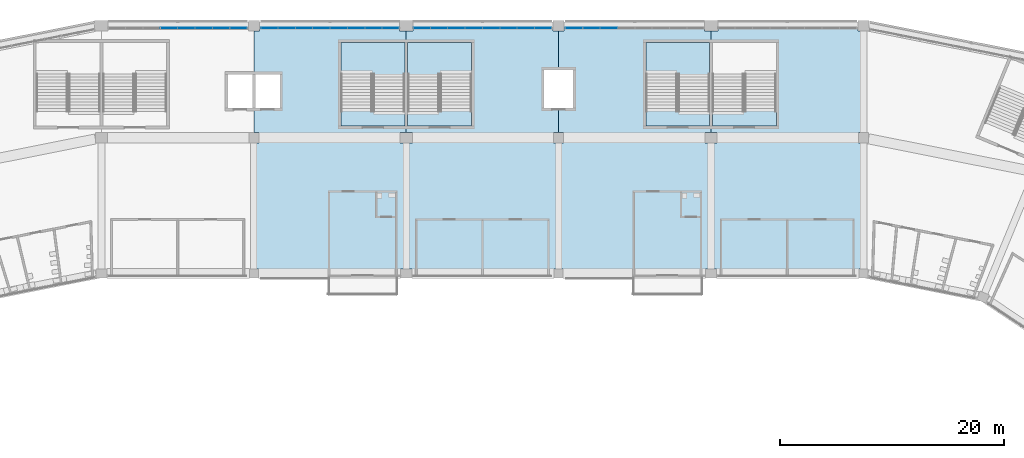
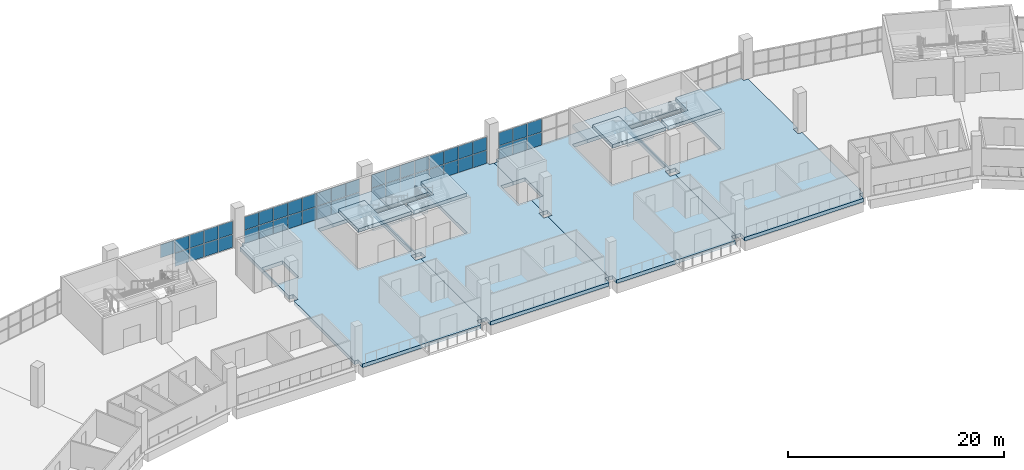
# One storey, part 69 of 199: 47 plates, 11 slabs, 8 elements without a shape of their own.
"""IFC4 building model written with IfcOpenShell, lengths in metres."""

from ifc_helpers import new_model, si_unit, direction, frame, origin, origin_2d, place, context, subcontext, project, spatial, polyline, rectangle, outline, extrude, material, layer, layer_set, type_object, element, aggregate, save


model = new_model("IFC4")

# Units and contexts
model_context = context("Model", 3, precision=1e-05, world=origin(), true_north=direction((0.0, 1.0)))
body_context = subcontext(model_context, "Body", "Model", "MODEL_VIEW")
ifc_project = project(units=[si_unit("LENGTHUNIT", "METRE"), si_unit("AREAUNIT", "SQUARE_METRE"), si_unit("VOLUMEUNIT", "CUBIC_METRE"), si_unit("PLANEANGLEUNIT", "RADIAN"), si_unit("MASSUNIT", "GRAM", prefix="KILO")], contexts=[model_context])

# Site, building, storey
site_placement = place(None, origin())
site = spatial("IfcSite", under=ifc_project, at=site_placement, CompositionType="ELEMENT")
building_placement = place(site_placement, origin())
building = spatial("IfcBuilding", under=site, at=building_placement, Name="Ogive Plaza Stadium", CompositionType="ELEMENT")
storey_placement = place(building_placement, frame((0.0, 0.0, 9.0)))
storey = spatial("IfcBuildingStorey", under=building, at=storey_placement, Name="L02", CompositionType="ELEMENT", Elevation=9.0)

# Curtain wall, plates
ifc_material_1 = material(Name="Bronze-anodised aluminium with laminated glass", Category="aluminium")
curtain_wall_type = type_object("IfcCurtainWallType", Name="Lancet curtain wall", PredefinedType="NOTDEFINED", material=ifc_material_1)
curtain_wall_1_placement = place(storey_placement, origin())
curtain_wall_1 = element("IfcCurtainWall", 1, at=curtain_wall_1_placement, inside=storey, type_object=curtain_wall_type, Name="CURTAIN WALL B32 L02", PredefinedType="NOTDEFINED")
ifc_material_2 = material(Name="Laminated glass", Category="glass")
ifc_layer_1 = layer(ifc_material_2, 0.028076171875)
ifc_layer_set_1 = layer_set([ifc_layer_1], Name="Laminated glass panel 28")
plate_type = type_object("IfcPlateType", Name="Laminated glass panel 28", PredefinedType="CURTAIN_PANEL", material=ifc_layer_set_1)
plate_1_placement = place(storey_placement, frame((-27.97509765625, 102.300048828125, 1.56982421875), z_axis=(0.0, 0.0, 1.0), x_axis=(1.0, 0.0, 0.0)))
plate_1 = element("IfcPlate", 2, at=plate_1_placement, type_object=plate_type, Name="CW-B32-L02 panel 4.2", PredefinedType="CURTAIN_PANEL", context=body_context, shape_type="SweptSolid", body=[
    extrude(rectangle(XDim=1.5, YDim=0.028076171875, at=origin_2d()), origin(), (0.0, 0.0, 1.0), 1.469970703125),
])
plate_2_placement = place(storey_placement, frame((-26.425048828125, 102.300048828125, 0.0498046875), z_axis=(0.0, 0.0, 1.0), x_axis=(1.0, 0.0, 0.0)))
plate_2 = element("IfcPlate", 3, at=plate_2_placement, type_object=plate_type, Name="CW-B32-L02 panel 5.1", PredefinedType="CURTAIN_PANEL", context=body_context, shape_type="SweptSolid", body=[
    extrude(rectangle(XDim=1.5, YDim=0.028076171875, at=origin_2d()), origin(), (0.0, 0.0, 1.0), 1.469970703125),
])
plate_3_placement = place(storey_placement, frame((-26.425048828125, 102.300048828125, 1.56982421875), z_axis=(0.0, 0.0, 1.0), x_axis=(1.0, 0.0, 0.0)))
plate_3 = element("IfcPlate", 4, at=plate_3_placement, type_object=plate_type, Name="CW-B32-L02 panel 5.2", PredefinedType="CURTAIN_PANEL", context=body_context, shape_type="SweptSolid", body=[
    extrude(rectangle(XDim=1.5, YDim=0.028076171875, at=origin_2d()), origin(), (0.0, 0.0, 1.0), 1.469970703125),
])
plate_4_placement = place(storey_placement, frame((-24.875, 102.300048828125, 0.0498046875), z_axis=(0.0, 0.0, 1.0), x_axis=(1.0, 0.0, 0.0)))
plate_4 = element("IfcPlate", 5, at=plate_4_placement, type_object=plate_type, Name="CW-B32-L02 panel 6.1", PredefinedType="CURTAIN_PANEL", context=body_context, shape_type="SweptSolid", body=[
    extrude(rectangle(XDim=1.5, YDim=0.028076171875, at=origin_2d()), origin(), (0.0, 0.0, 1.0), 1.469970703125),
])
plate_5_placement = place(storey_placement, frame((-24.875, 102.300048828125, 1.56982421875), z_axis=(0.0, 0.0, 1.0), x_axis=(1.0, 0.0, 0.0)))
plate_5 = element("IfcPlate", 6, at=plate_5_placement, type_object=plate_type, Name="CW-B32-L02 panel 6.2", PredefinedType="CURTAIN_PANEL", context=body_context, shape_type="SweptSolid", body=[
    extrude(rectangle(XDim=1.5, YDim=0.028076171875, at=origin_2d()), origin(), (0.0, 0.0, 1.0), 1.469970703125),
])
plate_6_placement = place(storey_placement, frame((-23.324951171875, 102.300048828125, 0.0498046875), z_axis=(0.0, 0.0, 1.0), x_axis=(1.0, 0.0, 0.0)))
plate_6 = element("IfcPlate", 7, at=plate_6_placement, type_object=plate_type, Name="CW-B32-L02 panel 7.1", PredefinedType="CURTAIN_PANEL", context=body_context, shape_type="SweptSolid", body=[
    extrude(rectangle(XDim=1.5, YDim=0.028076171875, at=origin_2d()), origin(), (0.0, 0.0, 1.0), 1.469970703125),
])
plate_7_placement = place(storey_placement, frame((-23.324951171875, 102.300048828125, 1.56982421875), z_axis=(0.0, 0.0, 1.0), x_axis=(1.0, 0.0, 0.0)))
plate_7 = element("IfcPlate", 8, at=plate_7_placement, type_object=plate_type, Name="CW-B32-L02 panel 7.2", PredefinedType="CURTAIN_PANEL", context=body_context, shape_type="SweptSolid", body=[
    extrude(rectangle(XDim=1.5, YDim=0.028076171875, at=origin_2d()), origin(), (0.0, 0.0, 1.0), 1.469970703125),
])
plate_8_placement = place(storey_placement, frame((-21.78759765625, 102.300048828125, 0.0498046875), z_axis=(0.0, 0.0, 1.0), x_axis=(1.0, 0.0, 0.0)))
plate_8 = element("IfcPlate", 9, at=plate_8_placement, type_object=plate_type, Name="CW-B32-L02 panel 8.1", PredefinedType="CURTAIN_PANEL", context=body_context, shape_type="SweptSolid", body=[
    extrude(rectangle(XDim=1.47509765625, YDim=0.028076171875, at=origin_2d()), origin(), (0.0, 0.0, 1.0), 1.469970703125),
])
plate_9_placement = place(storey_placement, frame((-21.78759765625, 102.300048828125, 1.56982421875), z_axis=(0.0, 0.0, 1.0), x_axis=(1.0, 0.0, 0.0)))
plate_9 = element("IfcPlate", 10, at=plate_9_placement, type_object=plate_type, Name="CW-B32-L02 panel 8.2", PredefinedType="CURTAIN_PANEL", context=body_context, shape_type="SweptSolid", body=[
    extrude(rectangle(XDim=1.47509765625, YDim=0.028076171875, at=origin_2d()), origin(), (0.0, 0.0, 1.0), 1.469970703125),
])
aggregate(curtain_wall_1, [plate_1, plate_2, plate_3, plate_4, plate_5, plate_6, plate_7, plate_8, plate_9])

curtain_wall_2_placement = place(storey_placement, origin())
curtain_wall_2 = element("IfcCurtainWall", 11, at=curtain_wall_2_placement, inside=storey, type_object=curtain_wall_type, Name="CURTAIN WALL B33 L02", PredefinedType="NOTDEFINED")
plate_10_placement = place(storey_placement, frame((-19.012451171875, 102.300048828125, 0.0498046875), z_axis=(0.0, 0.0, 1.0), x_axis=(1.0, 0.0, 0.0)))
plate_10 = element("IfcPlate", 12, at=plate_10_placement, type_object=plate_type, Name="CW-B33-L02 panel 1.1", PredefinedType="CURTAIN_PANEL", context=body_context, shape_type="SweptSolid", body=[
    extrude(rectangle(XDim=1.47509765625, YDim=0.028076171875, at=origin_2d()), origin(), (0.0, 0.0, 1.0), 1.469970703125),
])
plate_11_placement = place(storey_placement, frame((-19.012451171875, 102.300048828125, 1.56982421875), z_axis=(0.0, 0.0, 1.0), x_axis=(1.0, 0.0, 0.0)))
plate_11 = element("IfcPlate", 13, at=plate_11_placement, type_object=plate_type, Name="CW-B33-L02 panel 1.2", PredefinedType="CURTAIN_PANEL", context=body_context, shape_type="SweptSolid", body=[
    extrude(rectangle(XDim=1.47509765625, YDim=0.028076171875, at=origin_2d()), origin(), (0.0, 0.0, 1.0), 1.469970703125),
])
plate_12_placement = place(storey_placement, frame((-17.47509765625, 102.300048828125, 0.0498046875), z_axis=(0.0, 0.0, 1.0), x_axis=(1.0, 0.0, 0.0)))
plate_12 = element("IfcPlate", 14, at=plate_12_placement, type_object=plate_type, Name="CW-B33-L02 panel 2.1", PredefinedType="CURTAIN_PANEL", context=body_context, shape_type="SweptSolid", body=[
    extrude(rectangle(XDim=1.5, YDim=0.028076171875, at=origin_2d()), origin(), (0.0, 0.0, 1.0), 1.469970703125),
])
plate_13_placement = place(storey_placement, frame((-17.47509765625, 102.300048828125, 1.56982421875), z_axis=(0.0, 0.0, 1.0), x_axis=(1.0, 0.0, 0.0)))
plate_13 = element("IfcPlate", 15, at=plate_13_placement, type_object=plate_type, Name="CW-B33-L02 panel 2.2", PredefinedType="CURTAIN_PANEL", context=body_context, shape_type="SweptSolid", body=[
    extrude(rectangle(XDim=1.5, YDim=0.028076171875, at=origin_2d()), origin(), (0.0, 0.0, 1.0), 1.469970703125),
])
plate_14_placement = place(storey_placement, frame((-15.925048828125, 102.300048828125, 0.0498046875), z_axis=(0.0, 0.0, 1.0), x_axis=(1.0, 0.0, 0.0)))
plate_14 = element("IfcPlate", 16, at=plate_14_placement, type_object=plate_type, Name="CW-B33-L02 panel 3.1", PredefinedType="CURTAIN_PANEL", context=body_context, shape_type="SweptSolid", body=[
    extrude(rectangle(XDim=1.5, YDim=0.028076171875, at=origin_2d()), origin(), (0.0, 0.0, 1.0), 1.469970703125),
])
plate_15_placement = place(storey_placement, frame((-15.925048828125, 102.300048828125, 1.56982421875), z_axis=(0.0, 0.0, 1.0), x_axis=(1.0, 0.0, 0.0)))
plate_15 = element("IfcPlate", 17, at=plate_15_placement, type_object=plate_type, Name="CW-B33-L02 panel 3.2", PredefinedType="CURTAIN_PANEL", context=body_context, shape_type="SweptSolid", body=[
    extrude(rectangle(XDim=1.5, YDim=0.028076171875, at=origin_2d()), origin(), (0.0, 0.0, 1.0), 1.469970703125),
])
plate_16_placement = place(storey_placement, frame((-14.375, 102.300048828125, 0.0498046875), z_axis=(0.0, 0.0, 1.0), x_axis=(1.0, 0.0, 0.0)))
plate_16 = element("IfcPlate", 18, at=plate_16_placement, type_object=plate_type, Name="CW-B33-L02 panel 4.1", PredefinedType="CURTAIN_PANEL", context=body_context, shape_type="SweptSolid", body=[
    extrude(rectangle(XDim=1.5, YDim=0.028076171875, at=origin_2d()), origin(), (0.0, 0.0, 1.0), 1.469970703125),
])
plate_17_placement = place(storey_placement, frame((-14.375, 102.300048828125, 1.56982421875), z_axis=(0.0, 0.0, 1.0), x_axis=(1.0, 0.0, 0.0)))
plate_17 = element("IfcPlate", 19, at=plate_17_placement, type_object=plate_type, Name="CW-B33-L02 panel 4.2", PredefinedType="CURTAIN_PANEL", context=body_context, shape_type="SweptSolid", body=[
    extrude(rectangle(XDim=1.5, YDim=0.028076171875, at=origin_2d()), origin(), (0.0, 0.0, 1.0), 1.469970703125),
])
plate_18_placement = place(storey_placement, frame((-12.824951171875, 102.300048828125, 0.0498046875), z_axis=(0.0, 0.0, 1.0), x_axis=(1.0, 0.0, 0.0)))
plate_18 = element("IfcPlate", 20, at=plate_18_placement, type_object=plate_type, Name="CW-B33-L02 panel 5.1", PredefinedType="CURTAIN_PANEL", context=body_context, shape_type="SweptSolid", body=[
    extrude(rectangle(XDim=1.5, YDim=0.028076171875, at=origin_2d()), origin(), (0.0, 0.0, 1.0), 1.469970703125),
])
plate_19_placement = place(storey_placement, frame((-12.824951171875, 102.300048828125, 1.56982421875), z_axis=(0.0, 0.0, 1.0), x_axis=(1.0, 0.0, 0.0)))
plate_19 = element("IfcPlate", 21, at=plate_19_placement, type_object=plate_type, Name="CW-B33-L02 panel 5.2", PredefinedType="CURTAIN_PANEL", context=body_context, shape_type="SweptSolid", body=[
    extrude(rectangle(XDim=1.5, YDim=0.028076171875, at=origin_2d()), origin(), (0.0, 0.0, 1.0), 1.469970703125),
])
plate_20_placement = place(storey_placement, frame((-11.27490234375, 102.300048828125, 0.0498046875), z_axis=(0.0, 0.0, 1.0), x_axis=(1.0, 0.0, 0.0)))
plate_20 = element("IfcPlate", 22, at=plate_20_placement, type_object=plate_type, Name="CW-B33-L02 panel 6.1", PredefinedType="CURTAIN_PANEL", context=body_context, shape_type="SweptSolid", body=[
    extrude(rectangle(XDim=1.5, YDim=0.028076171875, at=origin_2d()), origin(), (0.0, 0.0, 1.0), 1.469970703125),
])
plate_21_placement = place(storey_placement, frame((-11.27490234375, 102.300048828125, 1.56982421875), z_axis=(0.0, 0.0, 1.0), x_axis=(1.0, 0.0, 0.0)))
plate_21 = element("IfcPlate", 23, at=plate_21_placement, type_object=plate_type, Name="CW-B33-L02 panel 6.2", PredefinedType="CURTAIN_PANEL", context=body_context, shape_type="SweptSolid", body=[
    extrude(rectangle(XDim=1.5, YDim=0.028076171875, at=origin_2d()), origin(), (0.0, 0.0, 1.0), 1.469970703125),
])
plate_22_placement = place(storey_placement, frame((-9.72509765625, 102.300048828125, 0.0498046875), z_axis=(0.0, 0.0, 1.0), x_axis=(1.0, 0.0, 0.0)))
plate_22 = element("IfcPlate", 24, at=plate_22_placement, type_object=plate_type, Name="CW-B33-L02 panel 7.1", PredefinedType="CURTAIN_PANEL", context=body_context, shape_type="SweptSolid", body=[
    extrude(rectangle(XDim=1.5, YDim=0.028076171875, at=origin_2d()), origin(), (0.0, 0.0, 1.0), 1.469970703125),
])
plate_23_placement = place(storey_placement, frame((-9.72509765625, 102.300048828125, 1.56982421875), z_axis=(0.0, 0.0, 1.0), x_axis=(1.0, 0.0, 0.0)))
plate_23 = element("IfcPlate", 25, at=plate_23_placement, type_object=plate_type, Name="CW-B33-L02 panel 7.2", PredefinedType="CURTAIN_PANEL", context=body_context, shape_type="SweptSolid", body=[
    extrude(rectangle(XDim=1.5, YDim=0.028076171875, at=origin_2d()), origin(), (0.0, 0.0, 1.0), 1.469970703125),
])
plate_24_placement = place(storey_placement, frame((-8.1875, 102.300048828125, 0.0498046875), z_axis=(0.0, 0.0, 1.0), x_axis=(1.0, 0.0, 0.0)))
plate_24 = element("IfcPlate", 26, at=plate_24_placement, type_object=plate_type, Name="CW-B33-L02 panel 8.1", PredefinedType="CURTAIN_PANEL", context=body_context, shape_type="SweptSolid", body=[
    extrude(rectangle(XDim=1.47509765625, YDim=0.028076171875, at=origin_2d()), origin(), (0.0, 0.0, 1.0), 1.469970703125),
])
plate_25_placement = place(storey_placement, frame((-8.1875, 102.300048828125, 1.56982421875), z_axis=(0.0, 0.0, 1.0), x_axis=(1.0, 0.0, 0.0)))
plate_25 = element("IfcPlate", 27, at=plate_25_placement, type_object=plate_type, Name="CW-B33-L02 panel 8.2", PredefinedType="CURTAIN_PANEL", context=body_context, shape_type="SweptSolid", body=[
    extrude(rectangle(XDim=1.47509765625, YDim=0.028076171875, at=origin_2d()), origin(), (0.0, 0.0, 1.0), 1.469970703125),
])
aggregate(curtain_wall_2, [plate_10, plate_11, plate_12, plate_13, plate_14, plate_15, plate_16, plate_17, plate_18, plate_19, plate_20, plate_21, plate_22, plate_23, plate_24, plate_25])

curtain_wall_3_placement = place(storey_placement, origin())
curtain_wall_3 = element("IfcCurtainWall", 28, at=curtain_wall_3_placement, inside=storey, type_object=curtain_wall_type, Name="CURTAIN WALL B34 L02", PredefinedType="NOTDEFINED")
plate_26_placement = place(storey_placement, frame((-5.41259765625, 102.300048828125, 0.0498046875), z_axis=(0.0, 0.0, 1.0), x_axis=(1.0, 0.0, 0.0)))
plate_26 = element("IfcPlate", 29, at=plate_26_placement, type_object=plate_type, Name="CW-B34-L02 panel 1.1", PredefinedType="CURTAIN_PANEL", context=body_context, shape_type="SweptSolid", body=[
    extrude(rectangle(XDim=1.47509765625, YDim=0.028076171875, at=origin_2d()), origin(), (0.0, 0.0, 1.0), 1.469970703125),
])
plate_27_placement = place(storey_placement, frame((-5.41259765625, 102.300048828125, 1.56982421875), z_axis=(0.0, 0.0, 1.0), x_axis=(1.0, 0.0, 0.0)))
plate_27 = element("IfcPlate", 30, at=plate_27_placement, type_object=plate_type, Name="CW-B34-L02 panel 1.2", PredefinedType="CURTAIN_PANEL", context=body_context, shape_type="SweptSolid", body=[
    extrude(rectangle(XDim=1.47509765625, YDim=0.028076171875, at=origin_2d()), origin(), (0.0, 0.0, 1.0), 1.469970703125),
])
plate_28_placement = place(storey_placement, frame((-3.875, 102.300048828125, 0.0498046875), z_axis=(0.0, 0.0, 1.0), x_axis=(1.0, 0.0, 0.0)))
plate_28 = element("IfcPlate", 31, at=plate_28_placement, type_object=plate_type, Name="CW-B34-L02 panel 2.1", PredefinedType="CURTAIN_PANEL", context=body_context, shape_type="SweptSolid", body=[
    extrude(rectangle(XDim=1.5, YDim=0.028076171875, at=origin_2d()), origin(), (0.0, 0.0, 1.0), 1.469970703125),
])
plate_29_placement = place(storey_placement, frame((-3.875, 102.300048828125, 1.56982421875), z_axis=(0.0, 0.0, 1.0), x_axis=(1.0, 0.0, 0.0)))
plate_29 = element("IfcPlate", 32, at=plate_29_placement, type_object=plate_type, Name="CW-B34-L02 panel 2.2", PredefinedType="CURTAIN_PANEL", context=body_context, shape_type="SweptSolid", body=[
    extrude(rectangle(XDim=1.5, YDim=0.028076171875, at=origin_2d()), origin(), (0.0, 0.0, 1.0), 1.469970703125),
])
plate_30_placement = place(storey_placement, frame((-2.324951171875, 102.300048828125, 0.0498046875), z_axis=(0.0, 0.0, 1.0), x_axis=(1.0, 0.0, 0.0)))
plate_30 = element("IfcPlate", 33, at=plate_30_placement, type_object=plate_type, Name="CW-B34-L02 panel 3.1", PredefinedType="CURTAIN_PANEL", context=body_context, shape_type="SweptSolid", body=[
    extrude(rectangle(XDim=1.5, YDim=0.028076171875, at=origin_2d()), origin(), (0.0, 0.0, 1.0), 1.469970703125),
])
plate_31_placement = place(storey_placement, frame((-2.324951171875, 102.300048828125, 1.56982421875), z_axis=(0.0, 0.0, 1.0), x_axis=(1.0, 0.0, 0.0)))
plate_31 = element("IfcPlate", 34, at=plate_31_placement, type_object=plate_type, Name="CW-B34-L02 panel 3.2", PredefinedType="CURTAIN_PANEL", context=body_context, shape_type="SweptSolid", body=[
    extrude(rectangle(XDim=1.5, YDim=0.028076171875, at=origin_2d()), origin(), (0.0, 0.0, 1.0), 1.469970703125),
])
plate_32_placement = place(storey_placement, frame((-0.77490234375, 102.300048828125, 0.0498046875), z_axis=(0.0, 0.0, 1.0), x_axis=(1.0, 0.0, 0.0)))
plate_32 = element("IfcPlate", 35, at=plate_32_placement, type_object=plate_type, Name="CW-B34-L02 panel 4.1", PredefinedType="CURTAIN_PANEL", context=body_context, shape_type="SweptSolid", body=[
    extrude(rectangle(XDim=1.5, YDim=0.028076171875, at=origin_2d()), origin(), (0.0, 0.0, 1.0), 1.469970703125),
])
plate_33_placement = place(storey_placement, frame((-0.77490234375, 102.300048828125, 1.56982421875), z_axis=(0.0, 0.0, 1.0), x_axis=(1.0, 0.0, 0.0)))
plate_33 = element("IfcPlate", 36, at=plate_33_placement, type_object=plate_type, Name="CW-B34-L02 panel 4.2", PredefinedType="CURTAIN_PANEL", context=body_context, shape_type="SweptSolid", body=[
    extrude(rectangle(XDim=1.5, YDim=0.028076171875, at=origin_2d()), origin(), (0.0, 0.0, 1.0), 1.469970703125),
])
plate_34_placement = place(storey_placement, frame((0.77490234375, 102.300048828125, 0.0498046875), z_axis=(0.0, 0.0, 1.0), x_axis=(1.0, 0.0, 0.0)))
plate_34 = element("IfcPlate", 37, at=plate_34_placement, type_object=plate_type, Name="CW-B34-L02 panel 5.1", PredefinedType="CURTAIN_PANEL", context=body_context, shape_type="SweptSolid", body=[
    extrude(rectangle(XDim=1.5, YDim=0.028076171875, at=origin_2d()), origin(), (0.0, 0.0, 1.0), 1.469970703125),
])
plate_35_placement = place(storey_placement, frame((0.77490234375, 102.300048828125, 1.56982421875), z_axis=(0.0, 0.0, 1.0), x_axis=(1.0, 0.0, 0.0)))
plate_35 = element("IfcPlate", 38, at=plate_35_placement, type_object=plate_type, Name="CW-B34-L02 panel 5.2", PredefinedType="CURTAIN_PANEL", context=body_context, shape_type="SweptSolid", body=[
    extrude(rectangle(XDim=1.5, YDim=0.028076171875, at=origin_2d()), origin(), (0.0, 0.0, 1.0), 1.469970703125),
])
plate_36_placement = place(storey_placement, frame((2.324951171875, 102.300048828125, 0.0498046875), z_axis=(0.0, 0.0, 1.0), x_axis=(1.0, 0.0, 0.0)))
plate_36 = element("IfcPlate", 39, at=plate_36_placement, type_object=plate_type, Name="CW-B34-L02 panel 6.1", PredefinedType="CURTAIN_PANEL", context=body_context, shape_type="SweptSolid", body=[
    extrude(rectangle(XDim=1.5, YDim=0.028076171875, at=origin_2d()), origin(), (0.0, 0.0, 1.0), 1.469970703125),
])
plate_37_placement = place(storey_placement, frame((2.324951171875, 102.300048828125, 1.56982421875), z_axis=(0.0, 0.0, 1.0), x_axis=(1.0, 0.0, 0.0)))
plate_37 = element("IfcPlate", 40, at=plate_37_placement, type_object=plate_type, Name="CW-B34-L02 panel 6.2", PredefinedType="CURTAIN_PANEL", context=body_context, shape_type="SweptSolid", body=[
    extrude(rectangle(XDim=1.5, YDim=0.028076171875, at=origin_2d()), origin(), (0.0, 0.0, 1.0), 1.469970703125),
])
plate_38_placement = place(storey_placement, frame((3.875, 102.300048828125, 0.0498046875), z_axis=(0.0, 0.0, 1.0), x_axis=(1.0, 0.0, 0.0)))
plate_38 = element("IfcPlate", 41, at=plate_38_placement, type_object=plate_type, Name="CW-B34-L02 panel 7.1", PredefinedType="CURTAIN_PANEL", context=body_context, shape_type="SweptSolid", body=[
    extrude(rectangle(XDim=1.5, YDim=0.028076171875, at=origin_2d()), origin(), (0.0, 0.0, 1.0), 1.469970703125),
])
plate_39_placement = place(storey_placement, frame((3.875, 102.300048828125, 1.56982421875), z_axis=(0.0, 0.0, 1.0), x_axis=(1.0, 0.0, 0.0)))
plate_39 = element("IfcPlate", 42, at=plate_39_placement, type_object=plate_type, Name="CW-B34-L02 panel 7.2", PredefinedType="CURTAIN_PANEL", context=body_context, shape_type="SweptSolid", body=[
    extrude(rectangle(XDim=1.5, YDim=0.028076171875, at=origin_2d()), origin(), (0.0, 0.0, 1.0), 1.469970703125),
])
plate_40_placement = place(storey_placement, frame((5.41259765625, 102.300048828125, 0.0498046875), z_axis=(0.0, 0.0, 1.0), x_axis=(1.0, 0.0, 0.0)))
plate_40 = element("IfcPlate", 43, at=plate_40_placement, type_object=plate_type, Name="CW-B34-L02 panel 8.1", PredefinedType="CURTAIN_PANEL", context=body_context, shape_type="SweptSolid", body=[
    extrude(rectangle(XDim=1.47509765625, YDim=0.028076171875, at=origin_2d()), origin(), (0.0, 0.0, 1.0), 1.469970703125),
])
plate_41_placement = place(storey_placement, frame((5.41259765625, 102.300048828125, 1.56982421875), z_axis=(0.0, 0.0, 1.0), x_axis=(1.0, 0.0, 0.0)))
plate_41 = element("IfcPlate", 44, at=plate_41_placement, type_object=plate_type, Name="CW-B34-L02 panel 8.2", PredefinedType="CURTAIN_PANEL", context=body_context, shape_type="SweptSolid", body=[
    extrude(rectangle(XDim=1.47509765625, YDim=0.028076171875, at=origin_2d()), origin(), (0.0, 0.0, 1.0), 1.469970703125),
])
aggregate(curtain_wall_3, [plate_26, plate_27, plate_28, plate_29, plate_30, plate_31, plate_32, plate_33, plate_34, plate_35, plate_36, plate_37, plate_38, plate_39, plate_40, plate_41])

curtain_wall_4_placement = place(storey_placement, origin())
curtain_wall_4 = element("IfcCurtainWall", 45, at=curtain_wall_4_placement, inside=storey, type_object=curtain_wall_type, Name="CURTAIN WALL B35 L02", PredefinedType="NOTDEFINED")
plate_42_placement = place(storey_placement, frame((8.1875, 102.300048828125, 0.0498046875), z_axis=(0.0, 0.0, 1.0), x_axis=(1.0, 0.0, 0.0)))
plate_42 = element("IfcPlate", 46, at=plate_42_placement, type_object=plate_type, Name="CW-B35-L02 panel 1.1", PredefinedType="CURTAIN_PANEL", context=body_context, shape_type="SweptSolid", body=[
    extrude(rectangle(XDim=1.47509765625, YDim=0.028076171875, at=origin_2d()), origin(), (0.0, 0.0, 1.0), 1.469970703125),
])
plate_43_placement = place(storey_placement, frame((8.1875, 102.300048828125, 1.56982421875), z_axis=(0.0, 0.0, 1.0), x_axis=(1.0, 0.0, 0.0)))
plate_43 = element("IfcPlate", 47, at=plate_43_placement, type_object=plate_type, Name="CW-B35-L02 panel 1.2", PredefinedType="CURTAIN_PANEL", context=body_context, shape_type="SweptSolid", body=[
    extrude(rectangle(XDim=1.47509765625, YDim=0.028076171875, at=origin_2d()), origin(), (0.0, 0.0, 1.0), 1.469970703125),
])
plate_44_placement = place(storey_placement, frame((9.72509765625, 102.300048828125, 0.0498046875), z_axis=(0.0, 0.0, 1.0), x_axis=(1.0, 0.0, 0.0)))
plate_44 = element("IfcPlate", 48, at=plate_44_placement, type_object=plate_type, Name="CW-B35-L02 panel 2.1", PredefinedType="CURTAIN_PANEL", context=body_context, shape_type="SweptSolid", body=[
    extrude(rectangle(XDim=1.5, YDim=0.028076171875, at=origin_2d()), origin(), (0.0, 0.0, 1.0), 1.469970703125),
])
plate_45_placement = place(storey_placement, frame((9.72509765625, 102.300048828125, 1.56982421875), z_axis=(0.0, 0.0, 1.0), x_axis=(1.0, 0.0, 0.0)))
plate_45 = element("IfcPlate", 49, at=plate_45_placement, type_object=plate_type, Name="CW-B35-L02 panel 2.2", PredefinedType="CURTAIN_PANEL", context=body_context, shape_type="SweptSolid", body=[
    extrude(rectangle(XDim=1.5, YDim=0.028076171875, at=origin_2d()), origin(), (0.0, 0.0, 1.0), 1.469970703125),
])
plate_46_placement = place(storey_placement, frame((11.27490234375, 102.300048828125, 0.0498046875), z_axis=(0.0, 0.0, 1.0), x_axis=(1.0, 0.0, 0.0)))
plate_46 = element("IfcPlate", 50, at=plate_46_placement, type_object=plate_type, Name="CW-B35-L02 panel 3.1", PredefinedType="CURTAIN_PANEL", context=body_context, shape_type="SweptSolid", body=[
    extrude(rectangle(XDim=1.5, YDim=0.028076171875, at=origin_2d()), origin(), (0.0, 0.0, 1.0), 1.469970703125),
])
plate_47_placement = place(storey_placement, frame((11.27490234375, 102.300048828125, 1.56982421875), z_axis=(0.0, 0.0, 1.0), x_axis=(1.0, 0.0, 0.0)))
plate_47 = element("IfcPlate", 51, at=plate_47_placement, type_object=plate_type, Name="CW-B35-L02 panel 3.2", PredefinedType="CURTAIN_PANEL", context=body_context, shape_type="SweptSolid", body=[
    extrude(rectangle(XDim=1.5, YDim=0.028076171875, at=origin_2d()), origin(), (0.0, 0.0, 1.0), 1.469970703125),
])
aggregate(curtain_wall_4, [plate_42, plate_43, plate_44, plate_45, plate_46, plate_47])

# Slabs
ifc_material_3 = material(Name="Concrete C40/50", Category="concrete")
ifc_layer_2 = layer(ifc_material_3, 0.409912109375)
ifc_layer_set_2 = layer_set([ifc_layer_2], Name="Concrete C40/50")
slab_type_1 = type_object("IfcSlabType", Name="RC floor slab 410", PredefinedType="FLOOR", material=ifc_layer_set_2)
slab_1_placement = place(storey_placement, frame((0.0, 0.0, -0.409912109375)))
element("IfcSlab", 52, at=slab_1_placement, inside=storey, type_object=slab_type_1, Name="Floor slab L02 B33", PredefinedType="FLOOR", context=body_context, shape_type="SweptSolid", body=[
    extrude(outline(polyline([(-6.800048828125, 92.050048828125), (-7.35009765625, 92.050048828125), (-7.35009765625, 92.949951171875), (-6.800048828125, 92.949951171875), (-6.800048828125, 102.050048828125), (-7.39990234375, 102.050048828125), (-7.39990234375, 102.5), (-19.89990234375, 102.5), (-19.89990234375, 102.050048828125), (-20.39990234375, 102.050048828125), (-20.39990234375, 92.949951171875), (-19.949951171875, 92.949951171875), (-19.949951171875, 92.050048828125), (-20.39990234375, 92.050048828125), (-20.39990234375, 80.800048828125), (-20.0, 80.800048828125), (-20.0, 80.0), (-7.300048828125, 80.0), (-7.300048828125, 80.800048828125), (-6.800048828125, 80.800048828125), (-6.800048828125, 92.050048828125)]), holes=[polyline([(-20.27490234375, 95.14990234375), (-18.074951171875, 95.14990234375), (-18.074951171875, 98.14990234375), (-20.27490234375, 98.14990234375), (-20.27490234375, 95.14990234375)]), polyline([(-12.625, 93.550048828125), (-6.925048828125, 93.550048828125), (-6.925048828125, 101.010009765625), (-12.625, 101.010009765625), (-12.625, 93.550048828125)])]), origin(), (0.0, 0.0, 1.0), 0.409912109375),
])
slab_2_placement = place(storey_placement, frame((0.0, 0.0, -0.409912109375)))
element("IfcSlab", 53, at=slab_2_placement, inside=storey, type_object=slab_type_1, Name="Floor slab L02 B34", PredefinedType="FLOOR", context=body_context, shape_type="SweptSolid", body=[
    extrude(outline(polyline([(6.800048828125, 92.050048828125), (6.35009765625, 92.050048828125), (6.35009765625, 92.949951171875), (6.800048828125, 92.949951171875), (6.800048828125, 95.14990234375), (5.5, 95.14990234375), (5.5, 98.550048828125), (6.800048828125, 98.550048828125), (6.800048828125, 102.050048828125), (6.300048828125, 102.050048828125), (6.300048828125, 102.5), (-6.199951171875, 102.5), (-6.199951171875, 102.050048828125), (-6.800048828125, 102.050048828125), (-6.800048828125, 92.949951171875), (-6.25, 92.949951171875), (-6.25, 92.050048828125), (-6.800048828125, 92.050048828125), (-6.800048828125, 80.800048828125), (-6.300048828125, 80.800048828125), (-6.300048828125, 80.0), (6.39990234375, 80.0), (6.39990234375, 80.800048828125), (6.800048828125, 80.800048828125), (6.800048828125, 92.050048828125)]), holes=[polyline([(-6.675048828125, 93.550048828125), (-0.97509765625, 93.550048828125), (-0.97509765625, 101.010009765625), (-6.675048828125, 101.010009765625), (-6.675048828125, 93.550048828125)])]), origin(), (0.0, 0.0, 1.0), 0.409912109375),
])
slab_3_placement = place(storey_placement, frame((0.0, 0.0, -0.409912109375)))
element("IfcSlab", 54, at=slab_3_placement, inside=storey, type_object=slab_type_1, Name="Floor slab L02 B35", PredefinedType="FLOOR", context=body_context, shape_type="SweptSolid", body=[
    extrude(outline(polyline([(20.39990234375, 92.050048828125), (19.85009765625, 92.050048828125), (19.85009765625, 92.949951171875), (20.39990234375, 92.949951171875), (20.39990234375, 102.050048828125), (19.800048828125, 102.050048828125), (19.800048828125, 102.5), (7.300048828125, 102.5), (7.300048828125, 102.050048828125), (6.800048828125, 102.050048828125), (6.800048828125, 98.550048828125), (8.10009765625, 98.550048828125), (8.10009765625, 95.14990234375), (6.800048828125, 95.14990234375), (6.800048828125, 92.949951171875), (7.25, 92.949951171875), (7.25, 92.050048828125), (6.800048828125, 92.050048828125), (6.800048828125, 80.800048828125), (7.199951171875, 80.800048828125), (7.199951171875, 80.0), (19.89990234375, 80.0), (19.89990234375, 80.800048828125), (20.39990234375, 80.800048828125), (20.39990234375, 92.050048828125)]), holes=[polyline([(14.574951171875, 93.550048828125), (20.27490234375, 93.550048828125), (20.27490234375, 101.010009765625), (14.574951171875, 101.010009765625), (14.574951171875, 93.550048828125)])]), origin(), (0.0, 0.0, 1.0), 0.409912109375),
])
slab_4_placement = place(storey_placement, frame((0.0, 0.0, -0.409912109375)))
element("IfcSlab", 55, at=slab_4_placement, inside=storey, type_object=slab_type_1, Name="Floor slab L02 B36", PredefinedType="FLOOR", context=body_context, shape_type="SweptSolid", body=[
    extrude(outline(polyline([(34.0, 92.050048828125), (33.550048828125, 92.050048828125), (33.550048828125, 92.949951171875), (34.0, 92.949951171875), (34.0, 102.050048828125), (33.5, 102.050048828125), (33.5, 102.5), (21.0, 102.5), (21.0, 102.050048828125), (20.39990234375, 102.050048828125), (20.39990234375, 92.949951171875), (20.949951171875, 92.949951171875), (20.949951171875, 92.050048828125), (20.39990234375, 92.050048828125), (20.39990234375, 80.800048828125), (20.89990234375, 80.800048828125), (20.89990234375, 80.0), (33.60009765625, 80.0), (33.60009765625, 80.800048828125), (34.0, 80.800048828125), (34.0, 92.050048828125)]), holes=[polyline([(20.52490234375, 93.550048828125), (26.22509765625, 93.550048828125), (26.22509765625, 101.010009765625), (20.52490234375, 101.010009765625), (20.52490234375, 93.550048828125)])]), origin(), (0.0, 0.0, 1.0), 0.409912109375),
])

# Stair, slabs
ifc_material_4 = material(Name="Concrete C40/50", Category="concrete")
stair_type = type_object("IfcStairType", Name="Exit stair", PredefinedType="STRAIGHT_RUN_STAIR", material=ifc_material_4)
stair_1_placement = place(storey_placement, origin())
stair_1 = element("IfcStair", 56, at=stair_1_placement, inside=storey, type_object=stair_type, Name="Exit stair ST34A L02 to L03", PredefinedType="STRAIGHT_RUN_STAIR")
ifc_material_5 = material(Name="Concrete C40/50", Category="concrete")
ifc_layer_3 = layer(ifc_material_5, 0.39990234375)
ifc_layer_set_3 = layer_set([ifc_layer_3], Name="Concrete C40/50")
slab_type_2 = type_object("IfcSlabType", Name="Stair landing", PredefinedType="LANDING", material=ifc_layer_set_3)
slab_5_placement = place(storey_placement, frame((0.0, 0.0, 1.85009765625)))
slab_5 = element("IfcSlab", 57, at=slab_5_placement, type_object=slab_type_2, Name="ST34A landing 1", PredefinedType="LANDING", context=body_context, shape_type="SweptSolid", body=[
    extrude(outline(polyline([(-6.675048828125, 101.010009765625), (-0.97509765625, 101.010009765625), (-0.97509765625, 98.2099609375), (-3.875, 98.2099609375), (-3.875, 95.81005859375), (-6.675048828125, 95.81005859375), (-6.675048828125, 98.2099609375), (-6.675048828125, 101.010009765625)])), origin(), (0.0, 0.0, 1.0), 0.39990234375),
])
slab_6_placement = place(storey_placement, frame((0.0, 0.0, 4.10009765625)))
slab_6 = element("IfcSlab", 58, at=slab_6_placement, type_object=slab_type_2, Name="ST34A landing 2", PredefinedType="LANDING", context=body_context, shape_type="SweptSolid", body=[
    extrude(outline(polyline([(-3.77490234375, 97.25), (-0.97509765625, 97.25), (-0.97509765625, 94.85009765625), (-0.97509765625, 93.550048828125), (-6.675048828125, 93.550048828125), (-6.675048828125, 94.85009765625), (-3.77490234375, 94.85009765625), (-3.77490234375, 97.25)])), origin(), (0.0, 0.0, 1.0), 0.39990234375),
])
aggregate(stair_1, [slab_5, slab_6])

stair_2_placement = place(storey_placement, origin())
stair_2 = element("IfcStair", 59, at=stair_2_placement, inside=storey, type_object=stair_type, Name="Exit stair ST34B L02 to L03", PredefinedType="STRAIGHT_RUN_STAIR")
slab_7_placement = place(storey_placement, frame((0.0, 0.0, 1.85009765625)))
slab_7 = element("IfcSlab", 60, at=slab_7_placement, type_object=slab_type_2, Name="ST34B landing 1", PredefinedType="LANDING", context=body_context, shape_type="SweptSolid", body=[
    extrude(outline(polyline([(-6.925048828125, 95.81005859375), (-9.72509765625, 95.81005859375), (-9.72509765625, 98.2099609375), (-12.625, 98.2099609375), (-12.625, 101.010009765625), (-6.925048828125, 101.010009765625), (-6.925048828125, 98.2099609375), (-6.925048828125, 95.81005859375)])), origin(), (0.0, 0.0, 1.0), 0.39990234375),
])
slab_8_placement = place(storey_placement, frame((0.0, 0.0, 4.10009765625)))
slab_8 = element("IfcSlab", 61, at=slab_8_placement, type_object=slab_type_2, Name="ST34B landing 2", PredefinedType="LANDING", context=body_context, shape_type="SweptSolid", body=[
    extrude(outline(polyline([(-6.925048828125, 94.85009765625), (-6.925048828125, 93.550048828125), (-12.625, 93.550048828125), (-12.625, 94.85009765625), (-12.625, 97.25), (-9.824951171875, 97.25), (-9.824951171875, 94.85009765625), (-6.925048828125, 94.85009765625)])), origin(), (0.0, 0.0, 1.0), 0.39990234375),
])
aggregate(stair_2, [slab_7, slab_8])

# Stair, slab
stair_3_placement = place(storey_placement, origin())
stair_3 = element("IfcStair", 62, at=stair_3_placement, inside=storey, type_object=stair_type, Name="Exit stair ST36A L02 to L03", PredefinedType="STRAIGHT_RUN_STAIR")
slab_9_placement = place(storey_placement, frame((0.0, 0.0, 4.10009765625)))
slab_9 = element("IfcSlab", 63, at=slab_9_placement, type_object=slab_type_2, Name="ST36A landing 2", PredefinedType="LANDING", context=body_context, shape_type="SweptSolid", body=[
    extrude(outline(polyline([(23.425048828125, 97.25), (26.22509765625, 97.25), (26.22509765625, 94.85009765625), (26.22509765625, 93.550048828125), (20.52490234375, 93.550048828125), (20.52490234375, 94.85009765625), (23.425048828125, 94.85009765625), (23.425048828125, 97.25)])), origin(), (0.0, 0.0, 1.0), 0.39990234375),
])
aggregate(stair_3, [slab_9])

# Stair, slabs
stair_4_placement = place(storey_placement, origin())
stair_4 = element("IfcStair", 64, at=stair_4_placement, inside=storey, type_object=stair_type, Name="Exit stair ST36B L02 to L03", PredefinedType="STRAIGHT_RUN_STAIR")
slab_10_placement = place(storey_placement, frame((0.0, 0.0, 1.85009765625)))
slab_10 = element("IfcSlab", 65, at=slab_10_placement, type_object=slab_type_2, Name="ST36B landing 1", PredefinedType="LANDING", context=body_context, shape_type="SweptSolid", body=[
    extrude(outline(polyline([(20.27490234375, 95.81005859375), (17.47509765625, 95.81005859375), (17.47509765625, 98.2099609375), (14.574951171875, 98.2099609375), (14.574951171875, 101.010009765625), (20.27490234375, 101.010009765625), (20.27490234375, 98.2099609375), (20.27490234375, 95.81005859375)])), origin(), (0.0, 0.0, 1.0), 0.39990234375),
])
slab_11_placement = place(storey_placement, frame((0.0, 0.0, 4.10009765625)))
slab_11 = element("IfcSlab", 66, at=slab_11_placement, type_object=slab_type_2, Name="ST36B landing 2", PredefinedType="LANDING", context=body_context, shape_type="SweptSolid", body=[
    extrude(outline(polyline([(20.27490234375, 94.85009765625), (20.27490234375, 93.550048828125), (14.574951171875, 93.550048828125), (14.574951171875, 94.85009765625), (14.574951171875, 97.25), (17.375, 97.25), (17.375, 94.85009765625), (20.27490234375, 94.85009765625)])), origin(), (0.0, 0.0, 1.0), 0.39990234375),
])
aggregate(stair_4, [slab_10, slab_11])

save(model, "model.ifc")
